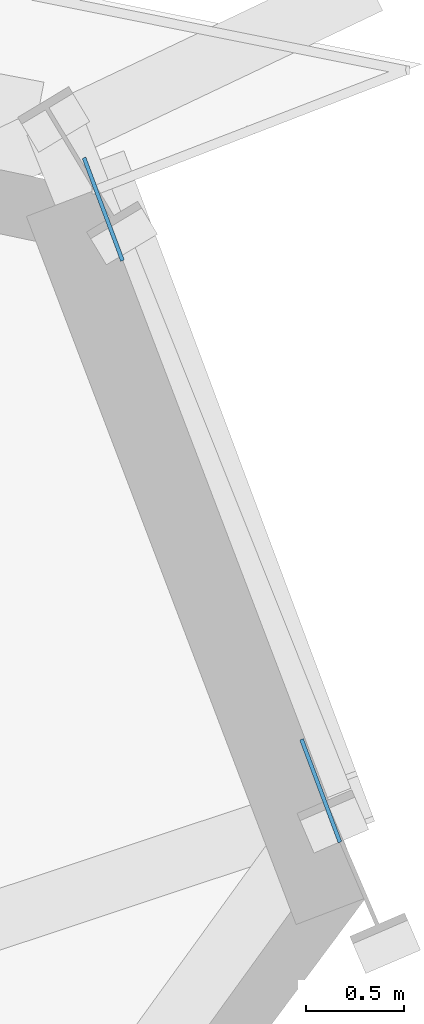
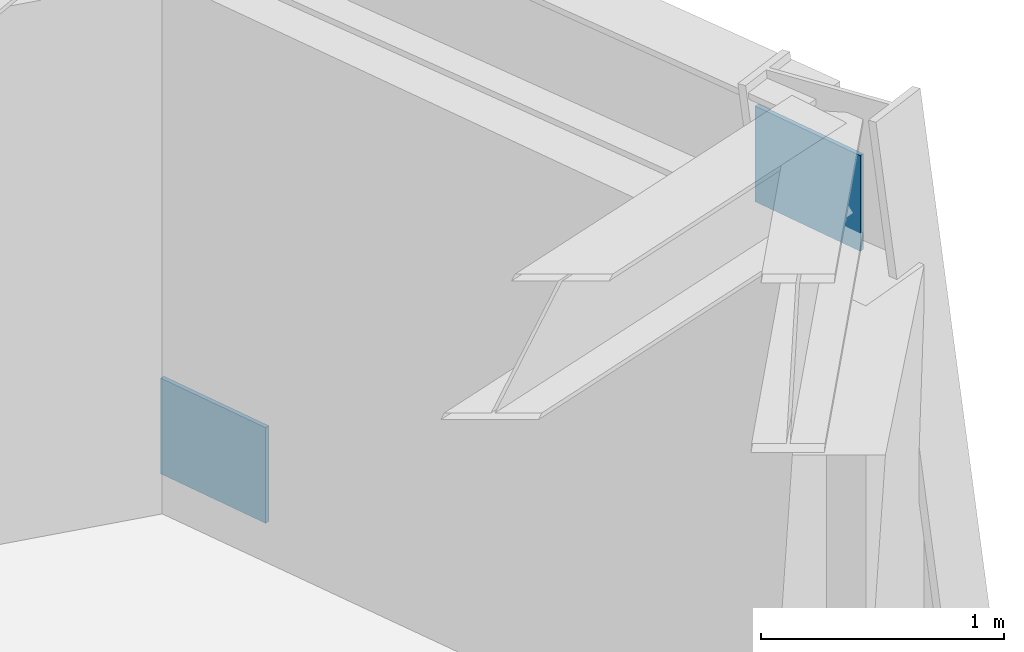
# One storey, part 11 of 18: 2 plates.
"""IFC4 building model written with IfcOpenShell, lengths in metres."""

from ifc_helpers import new_model, si_unit, direction, frame, origin, origin_2d, place, context, subcontext, project, spatial, rectangle, extrude, source, transform, mapped, material, type_object, element, save


model = new_model("IFC4")

# Units and contexts
model_context = context("Model", 3, precision=1e-05, world=origin(), true_north=direction((0.0, 1.0)))
body_context = subcontext(model_context, "Body", "Model", "MODEL_VIEW")
ifc_project = project(units=[si_unit("LENGTHUNIT", "METRE"), si_unit("AREAUNIT", "SQUARE_METRE"), si_unit("VOLUMEUNIT", "CUBIC_METRE"), si_unit("PLANEANGLEUNIT", "RADIAN"), si_unit("MASSUNIT", "GRAM", prefix="KILO")], contexts=[model_context])

# Site, building, storey
site_placement = place(None, origin())
site = spatial("IfcSite", under=ifc_project, at=site_placement, CompositionType="ELEMENT")
building_placement = place(site_placement, origin())
building = spatial("IfcBuilding", under=site, at=building_placement, Name="Olszyna Solenne Hotel", CompositionType="ELEMENT")
storey_placement = place(building_placement, frame((0.0, 0.0, 119.89990234375)))
storey = spatial("IfcBuildingStorey", under=building, at=storey_placement, Name="L31", CompositionType="ELEMENT", Elevation=119.89990234375)

# Plates
ifc_material = material(Name="Steel S355J2", Category="steel")
plate_type = type_object("IfcPlateType", Name="GP-ND2", PredefinedType="USERDEFINED", material=ifc_material)
shared_shape = source(origin(), body_context, "Body", "SweptSolid", [
    extrude(rectangle(XDim=0.56005859375, YDim=0.02001953125, at=origin_2d()), origin(), (0.0, 0.0, 1.0), 0.47998046875),
])
for number, where, z_axis, x_axis, name in (
    (1, (65.2177734375, 39.09521484375, -0.1376953125), (0.0, 0.0, 1.0), (0.350370856062, -0.936611052264, 0.0), "Brace end connection gusset plate GP-ND2 EP-BR-L31-1-1"),
    (2, (66.3271484375, 36.12890625, 2.6376953125), (0.0, 0.0, 1.0), (0.350370856062, -0.936611052264, 0.0), "Brace end connection gusset plate GP-ND2 EP-BR-L31-1-2"),
):
    element("IfcPlate", number, at=place(storey_placement, frame(where, z_axis=z_axis, x_axis=x_axis)), inside=storey, type_object=plate_type, Name=name, ObjectType="GUSSET_PLATE", PredefinedType="USERDEFINED", context=body_context, shape_type="MappedRepresentation", body=[
        mapped(shared_shape, transform((0.0, 0.0, 0.0), x_axis=(1.0, 0.0, 0.0), y_axis=(0.0, 1.0, 0.0), z_axis=(0.0, 0.0, 1.0), scale=1.0)),
    ])

save(model, "model.ifc")
